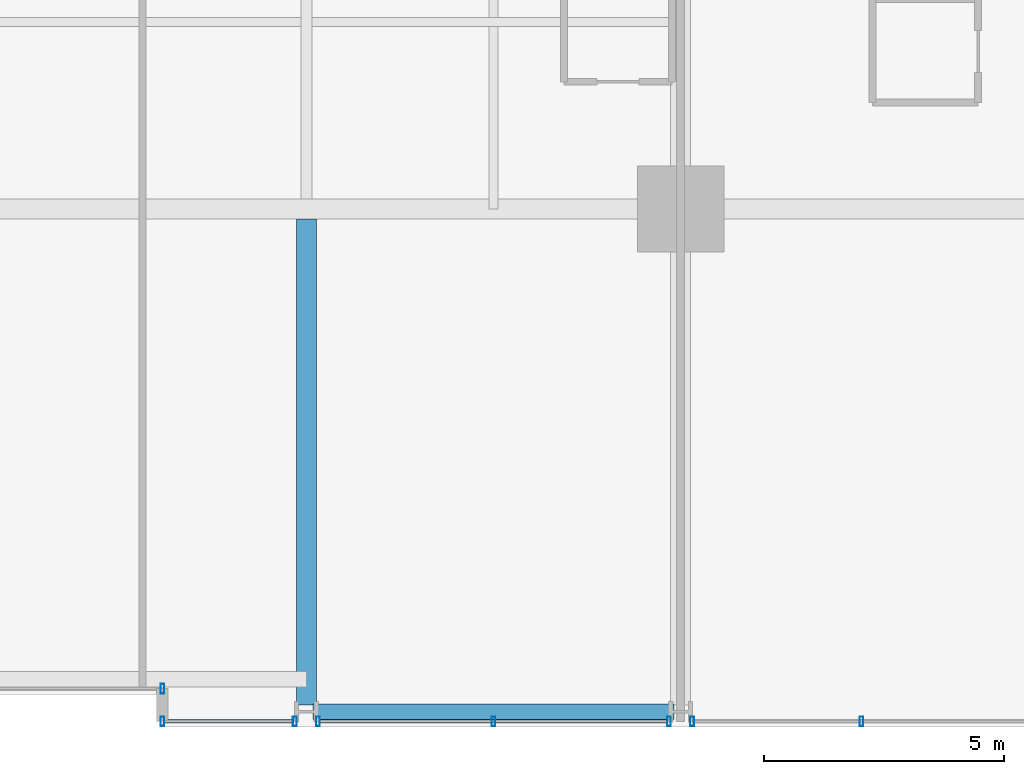
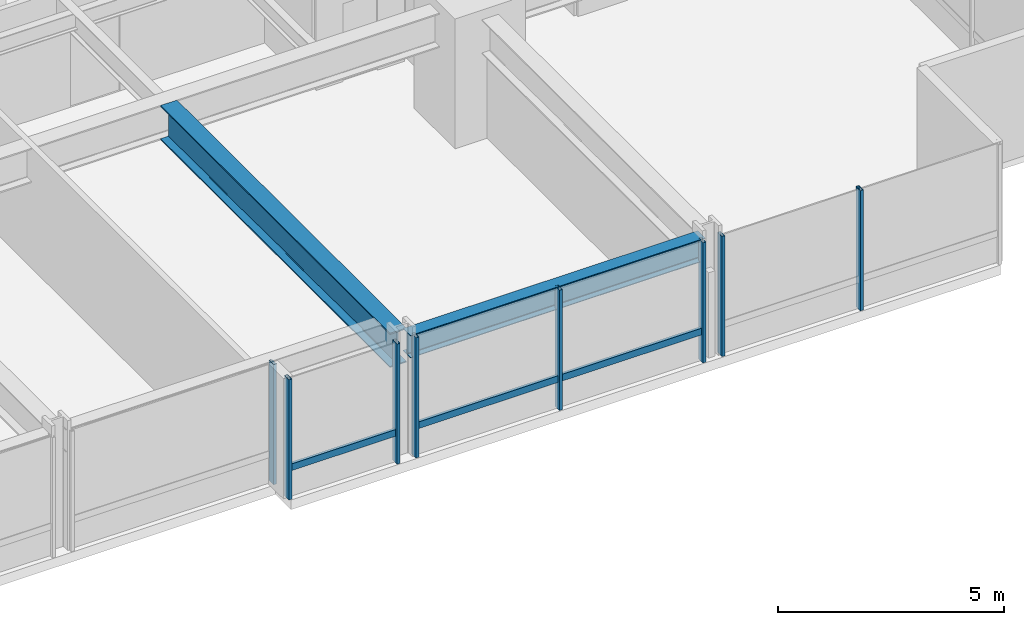
# One storey, part 11 of 38: 10 members, 2 beams, 4 elements without a shape of their own.
"""IFC4 building model written with IfcOpenShell, lengths in metres."""

from ifc_helpers import new_model, si_unit, direction, frame, origin, origin_2d, place, context, subcontext, project, spatial, hollow_rectangle, i_section, extrude, material, layer, layer_set, material_profile, profile_set, type_object, element, aggregate, save


model = new_model("IFC4")

# Units and contexts
model_context = context("Model", 3, precision=1e-05, world=origin(), true_north=direction((0.0, 1.0)))
body_context = subcontext(model_context, "Body", "Model", "MODEL_VIEW")
ifc_project = project(units=[si_unit("LENGTHUNIT", "METRE"), si_unit("AREAUNIT", "SQUARE_METRE"), si_unit("VOLUMEUNIT", "CUBIC_METRE"), si_unit("PLANEANGLEUNIT", "RADIAN"), si_unit("MASSUNIT", "GRAM", prefix="KILO")], contexts=[model_context])

# Site, building, storey
site_placement = place(None, origin())
site = spatial("IfcSite", under=ifc_project, at=site_placement, CompositionType="ELEMENT")
building_placement = place(site_placement, origin())
building = spatial("IfcBuilding", under=site, at=building_placement, Name="Drelvath Grand Hotel", CompositionType="ELEMENT")
storey_placement = place(building_placement, frame((0.0, 0.0, 47.199951171875)))
storey = spatial("IfcBuildingStorey", under=building, at=storey_placement, Name="L10", CompositionType="ELEMENT", Elevation=47.199951171875)

# Curtain wall, member
ifc_material_1 = material(Name="Warm Bronze Anodised Aluminium Frame", Category="aluminium")
ifc_layer = layer(ifc_material_1, 0.199951171875)
ifc_layer_set = layer_set([ifc_layer], Name="Warm Bronze Anodised Aluminium Frame")
curtain_wall_type = type_object("IfcCurtainWallType", Name="Stick Curtain Wall CW-02 Warm Bronze Low-Rise", PredefinedType="NOTDEFINED", material=ifc_layer_set)
curtain_wall_1_placement = place(storey_placement, origin())
curtain_wall_1 = element("IfcCurtainWall", 1, at=curtain_wall_1_placement, inside=storey, type_object=curtain_wall_type, Name="L10 CW-02 Curtain Wall CW02-L10-SE1", PredefinedType="NOTDEFINED")
ifc_material_profile_1 = material_profile(ifc_material_1, hollow_rectangle(XDim=0.074951171875, YDim=0.179931640625, WallThickness=0.0048828125, at=origin_2d()), Name="HSS180X75X5")
ifc_profile_set_1 = profile_set([ifc_material_profile_1], Name="Warm Bronze Anodised Aluminium Frame")
member_type_1 = type_object("IfcMemberType", Name="Curtain Wall Horizontal Transom CW-02 HSS180X75X5", PredefinedType="USERDEFINED", material=ifc_profile_set_1)
member_1_placement = place(storey_placement, frame((8.119140625, 0.1201171875, 0.81005859375), z_axis=(-1.0, 0.0, 0.0), x_axis=(0.0, -1.0, 0.0)))
member_1 = element("IfcMember", 2, at=member_1_placement, type_object=member_type_1, Name="CW02-L10-SE1 Sill Transom", ObjectType="TRANSOM", PredefinedType="USERDEFINED", context=body_context, shape_type="SweptSolid", body=[
    extrude(hollow_rectangle(XDim=0.074951171875, YDim=0.179931640625, WallThickness=0.0048828125, at=origin_2d()), origin(), (0.0, 0.0, 1.0), 2.67919921875),
])

curtain_wall_2_placement = place(storey_placement, origin())
curtain_wall_2 = element("IfcCurtainWall", 3, at=curtain_wall_2_placement, inside=storey, type_object=curtain_wall_type, Name="L10 CW-02 Curtain Wall CW02-L10-SE2", PredefinedType="NOTDEFINED")
member_2_placement = place(storey_placement, frame((15.919189453125, 0.1201171875, 0.81005859375), z_axis=(-1.0, 0.0, 0.0), x_axis=(0.0, -1.0, 0.0)))
member_2 = element("IfcMember", 4, at=member_2_placement, type_object=member_type_1, Name="CW02-L10-SE2 Sill Transom", ObjectType="TRANSOM", PredefinedType="USERDEFINED", context=body_context, shape_type="SweptSolid", body=[
    extrude(hollow_rectangle(XDim=0.074951171875, YDim=0.179931640625, WallThickness=0.0048828125, at=origin_2d()), origin(), (0.0, 0.0, 1.0), 7.23828125),
])

# Member
ifc_material_profile_2 = material_profile(ifc_material_1, hollow_rectangle(XDim=0.080078125, YDim=0.199951171875, WallThickness=0.0048828125, at=origin_2d()), Name="HSS200X80X5")
ifc_profile_set_2 = profile_set([ifc_material_profile_2], Name="Warm Bronze Anodised Aluminium Frame")
member_type_2 = type_object("IfcMemberType", Name="Curtain Wall Vertical Mullion CW-02 HSS200X80X5", PredefinedType="MULLION", material=ifc_profile_set_2)
member_3_placement = place(storey_placement, frame((8.1591796875, 0.1201171875, 0.0), z_axis=(0.0, 0.0, 1.0), x_axis=(1.0, 0.0, 0.0)))
member_3 = element("IfcMember", 5, at=member_3_placement, type_object=member_type_2, Name="CW02-L10-SE1 Mullion 1", PredefinedType="MULLION", context=body_context, shape_type="SweptSolid", body=[
    extrude(hollow_rectangle(XDim=0.080078125, YDim=0.199951171875, WallThickness=0.0048828125, at=origin_2d()), origin(), (0.0, 0.0, 1.0), 3.239990234375),
])

member_4_placement = place(storey_placement, frame((5.39990234375, 0.1201171875, 0.0), z_axis=(0.0, 0.0, 1.0), x_axis=(1.0, 0.0, 0.0)))
member_4 = element("IfcMember", 6, at=member_4_placement, type_object=member_type_2, Name="CW02-L10-SE1 Mullion 2", PredefinedType="MULLION", context=body_context, shape_type="SweptSolid", body=[
    extrude(hollow_rectangle(XDim=0.080078125, YDim=0.199951171875, WallThickness=0.0048828125, at=origin_2d()), origin(), (0.0, 0.0, 1.0), 3.239990234375),
])

aggregate(curtain_wall_1, [member_3, member_4, member_1])

member_5_placement = place(storey_placement, frame((15.958984375, 0.1201171875, 0.0), z_axis=(0.0, 0.0, 1.0), x_axis=(1.0, 0.0, 0.0)))
member_5 = element("IfcMember", 7, at=member_5_placement, type_object=member_type_2, Name="CW02-L10-SE2 Mullion 1", PredefinedType="MULLION", context=body_context, shape_type="SweptSolid", body=[
    extrude(hollow_rectangle(XDim=0.080078125, YDim=0.199951171875, WallThickness=0.0048828125, at=origin_2d()), origin(), (0.0, 0.0, 1.0), 3.239990234375),
])

member_6_placement = place(storey_placement, frame((12.300048828125, 0.1201171875, 0.0), z_axis=(0.0, 0.0, 1.0), x_axis=(1.0, 0.0, 0.0)))
member_6 = element("IfcMember", 8, at=member_6_placement, type_object=member_type_2, Name="CW02-L10-SE2 Mullion 2", PredefinedType="MULLION", context=body_context, shape_type="SweptSolid", body=[
    extrude(hollow_rectangle(XDim=0.080078125, YDim=0.199951171875, WallThickness=0.0048828125, at=origin_2d()), origin(), (0.0, 0.0, 1.0), 3.239990234375),
])

member_7_placement = place(storey_placement, frame((8.640869140625, 0.1201171875, 0.0), z_axis=(0.0, 0.0, 1.0), x_axis=(1.0, 0.0, 0.0)))
member_7 = element("IfcMember", 9, at=member_7_placement, type_object=member_type_2, Name="CW02-L10-SE2 Mullion 3", PredefinedType="MULLION", context=body_context, shape_type="SweptSolid", body=[
    extrude(hollow_rectangle(XDim=0.080078125, YDim=0.199951171875, WallThickness=0.0048828125, at=origin_2d()), origin(), (0.0, 0.0, 1.0), 3.239990234375),
])

aggregate(curtain_wall_2, [member_5, member_6, member_7, member_2])

# Curtain wall, members
curtain_wall_3_placement = place(storey_placement, origin())
curtain_wall_3 = element("IfcCurtainWall", 10, at=curtain_wall_3_placement, inside=storey, type_object=curtain_wall_type, Name="L10 CW-02 Curtain Wall CW02-L10-SE3", PredefinedType="NOTDEFINED")
member_8_placement = place(storey_placement, frame((19.970458984375, 0.1201171875, 0.0), z_axis=(0.0, 0.0, 1.0), x_axis=(1.0, 0.0, 0.0)))
member_8 = element("IfcMember", 11, at=member_8_placement, type_object=member_type_2, Name="CW02-L10-SE3 Mullion 2", PredefinedType="MULLION", context=body_context, shape_type="SweptSolid", body=[
    extrude(hollow_rectangle(XDim=0.080078125, YDim=0.199951171875, WallThickness=0.0048828125, at=origin_2d()), origin(), (0.0, 0.0, 1.0), 3.239990234375),
])
member_9_placement = place(storey_placement, frame((16.44091796875, 0.1201171875, 0.0), z_axis=(0.0, 0.0, 1.0), x_axis=(1.0, 0.0, 0.0)))
member_9 = element("IfcMember", 12, at=member_9_placement, type_object=member_type_2, Name="CW02-L10-SE3 Mullion 3", PredefinedType="MULLION", context=body_context, shape_type="SweptSolid", body=[
    extrude(hollow_rectangle(XDim=0.080078125, YDim=0.199951171875, WallThickness=0.0048828125, at=origin_2d()), origin(), (0.0, 0.0, 1.0), 3.239990234375),
])
aggregate(curtain_wall_3, [member_8, member_9])

# Curtain wall, member
curtain_wall_4_placement = place(storey_placement, origin())
curtain_wall_4 = element("IfcCurtainWall", 13, at=curtain_wall_4_placement, inside=storey, type_object=curtain_wall_type, Name="L10 CW-02 Curtain Wall CW02-L10-SM2", PredefinedType="NOTDEFINED")
member_10_placement = place(storey_placement, frame((5.39990234375, 0.800048828125, 0.0), z_axis=(0.0, 0.0, 1.0), x_axis=(1.0, 0.0, 0.0)))
member_10 = element("IfcMember", 14, at=member_10_placement, type_object=member_type_2, Name="CW02-L10-SM2 Mullion 1", PredefinedType="MULLION", context=body_context, shape_type="SweptSolid", body=[
    extrude(hollow_rectangle(XDim=0.080078125, YDim=0.199951171875, WallThickness=0.0048828125, at=origin_2d()), origin(), (0.0, 0.0, 1.0), 3.239990234375),
])
aggregate(curtain_wall_4, [member_10])

# Beams
ifc_material_2 = material(Name="Steel ASTM A992 Gr 50", Category="steel")
ifc_material_profile_3 = material_profile(ifc_material_2, i_section(OverallWidth=0.323974609375, OverallDepth=0.611083984375, WebThickness=0.0126953125, FlangeThickness=0.01904296875, FilletRadius=0.02197265625, at=origin_2d()), Name="W24X104")
ifc_profile_set_3 = profile_set([ifc_material_profile_3], Name="Steel ASTM A992 Gr 50")
beam_type_1 = type_object("IfcBeamType", Name="Perimeter Spandrel Beam W24X104", PredefinedType="SPANDREL", material=ifc_profile_set_3)
beam_1_placement = place(storey_placement, frame((8.5400390625, 0.320068359375, 2.9345703125), z_axis=(1.0, 0.0, 0.0), x_axis=(0.0, 1.0, 0.0)))
element("IfcBeam", 15, at=beam_1_placement, inside=storey, type_object=beam_type_1, Name="L10 Spandrel South E", PredefinedType="SPANDREL", context=body_context, shape_type="SweptSolid", body=[
    extrude(i_section(OverallWidth=0.323974609375, OverallDepth=0.611083984375, WebThickness=0.0126953125, FlangeThickness=0.01904296875, FilletRadius=0.02197265625, at=origin_2d()), origin(), (0.0, 0.0, 1.0), 7.52001953125),
])
ifc_material_profile_4 = material_profile(ifc_material_2, i_section(OverallWidth=0.418212890625, OverallDepth=0.926513671875, WebThickness=0.019287109375, FlangeThickness=0.031982421875, FilletRadius=0.028076171875, at=origin_2d()), Name="W36X231")
ifc_profile_set_4 = profile_set([ifc_material_profile_4], Name="Steel ASTM A992 Gr 50")
beam_type_2 = type_object("IfcBeamType", Name="Primary Floor Girder W36X231", PredefinedType="BEAM", material=ifc_profile_set_4)
beam_2_placement = place(storey_placement, frame((8.39990234375, 0.4599609375, 2.77685546875), z_axis=(0.0, 1.0, 0.0), x_axis=(-1.0, 0.0, 0.0)))
element("IfcBeam", 16, at=beam_2_placement, inside=storey, type_object=beam_type_2, Name="L10 South Wing Girder 6", PredefinedType="BEAM", context=body_context, shape_type="SweptSolid", body=[
    extrude(i_section(OverallWidth=0.418212890625, OverallDepth=0.926513671875, WebThickness=0.019287109375, FlangeThickness=0.031982421875, FilletRadius=0.028076171875, at=origin_2d()), origin(), (0.0, 0.0, 1.0), 10.130859375),
])

save(model, "model.ifc")
